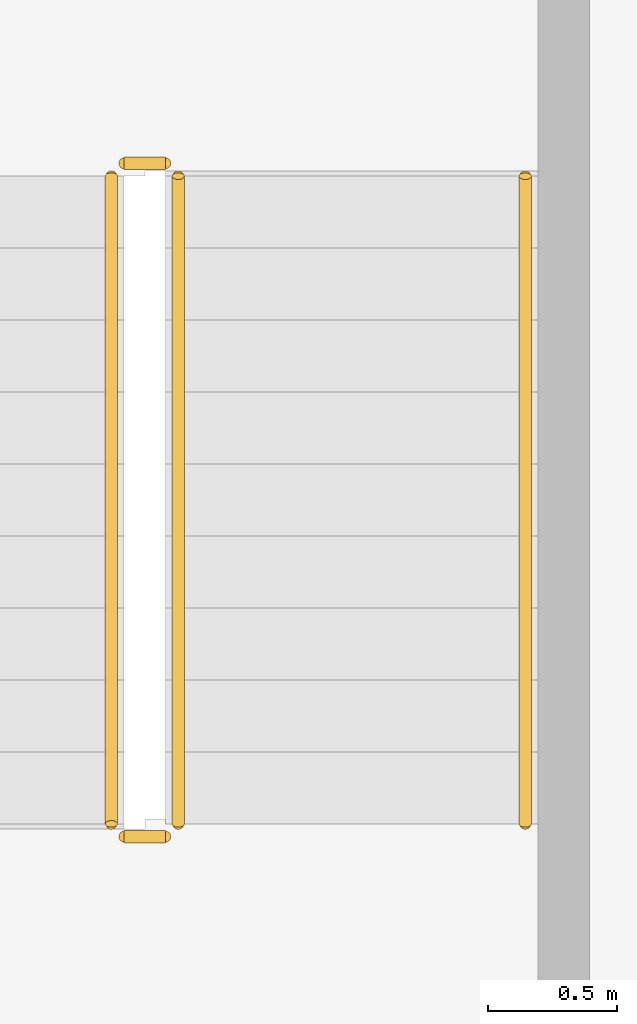
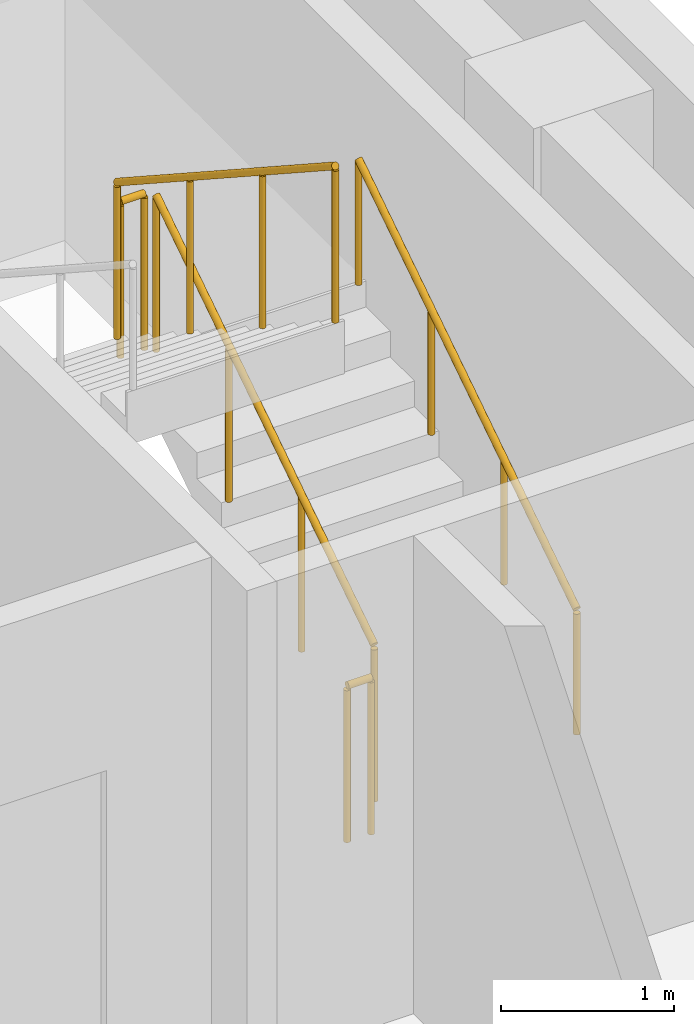
# One storey, part 13 of 14: 5 railings.
"""IFC4 building model written with IfcOpenShell, lengths in metres."""

from ifc_helpers import new_model, si_unit, direction, frame, origin, origin_2d, place, context, subcontext, project, spatial, circle, extrude, material, type_object, element, save


model = new_model("IFC4")

# Units and contexts
model_context = context("Model", 3, precision=1e-05, world=origin(), true_north=direction((0.0, 1.0)))
body_context = subcontext(model_context, "Body", "Model", "MODEL_VIEW")
ifc_project = project(units=[si_unit("LENGTHUNIT", "METRE"), si_unit("AREAUNIT", "SQUARE_METRE"), si_unit("VOLUMEUNIT", "CUBIC_METRE"), si_unit("PLANEANGLEUNIT", "RADIAN"), si_unit("MASSUNIT", "GRAM", prefix="KILO")], contexts=[model_context])

# Site, building, storey
site_placement = place(None, origin())
site = spatial("IfcSite", under=ifc_project, at=site_placement, CompositionType="ELEMENT")
building_placement = place(site_placement, origin())
building = spatial("IfcBuilding", under=site, at=building_placement, Name="Nuvemarco Arch Tower", CompositionType="ELEMENT")
storey_placement = place(building_placement, frame((0.0, 0.0, 268.89990234375)))
storey = spatial("IfcBuildingStorey", under=building, at=storey_placement, Name="L71", CompositionType="ELEMENT", Elevation=268.89990234375)

# Railings
ifc_material_1 = material(Name="Brushed stainless steel handrail", Category="steel")
railing_type_1 = type_object("IfcRailingType", Name="RL-HANDRAIL-900", PredefinedType="HANDRAIL", material=ifc_material_1)
railing_1_placement = place(storey_placement, frame((16.550048828125, 2.64990234375, 0.1826171875)))
element("IfcRailing", 1, at=railing_1_placement, inside=storey, type_object=railing_type_1, Name="L71 ST-2 stair handrail 1", PredefinedType="HANDRAIL", context=body_context, shape_type="SweptSolid", body=[
    extrude(circle(Radius=0.02392578125, at=origin_2d()), frame((0.0, 0.0, 0.8759765625), z_axis=(0.0, 0.837749427056, 0.546054848405), x_axis=(-1.0, 0.0, 0.0)), (0.0, 0.0, 1.0), 3.008056640625),
    extrude(circle(Radius=0.02099609375, at=origin_2d()), origin(), (0.0, 0.0, 1.0), 0.851806640625),
    extrude(circle(Radius=0.02099609375, at=origin_2d()), frame((0.0, 0.840087890625, 0.547607421875)), (0.0, 0.0, 1.0), 0.851806640625),
    extrude(circle(Radius=0.02099609375, at=origin_2d()), frame((0.0, 1.679931640625, 1.094970703125)), (0.0, 0.0, 1.0), 0.851806640625),
    extrude(circle(Radius=0.02099609375, at=origin_2d()), frame((0.0, 2.52001953125, 1.642578125)), (0.0, 0.0, 1.0), 0.851806640625),
])
ifc_material_2 = material(Name="Painted balustrade steel S355", Category="steel")
railing_type_2 = type_object("IfcRailingType", Name="RL-STAIR-GUARD", PredefinedType="GUARDRAIL", material=ifc_material_2)
railing_2_placement = place(storey_placement, frame((15.199951171875, 2.64990234375, 0.1826171875)))
element("IfcRailing", 2, at=railing_2_placement, inside=storey, type_object=railing_type_2, Name="L71 ST-2 stair guard 1", PredefinedType="GUARDRAIL", context=body_context, shape_type="SweptSolid", body=[
    extrude(circle(Radius=0.02392578125, at=origin_2d()), frame((0.0, 0.0, 1.09619140625), z_axis=(0.0, 0.837749427056, 0.546054848405), x_axis=(-1.0, 0.0, 0.0)), (0.0, 0.0, 1.0), 3.008056640625),
    extrude(circle(Radius=0.02099609375, at=origin_2d()), origin(), (0.0, 0.0, 1.0), 1.072021484375),
    extrude(circle(Radius=0.02099609375, at=origin_2d()), frame((0.0, 0.840087890625, 0.547607421875)), (0.0, 0.0, 1.0), 1.072021484375),
    extrude(circle(Radius=0.02099609375, at=origin_2d()), frame((0.0, 1.679931640625, 1.094970703125)), (0.0, 0.0, 1.0), 1.072021484375),
    extrude(circle(Radius=0.02099609375, at=origin_2d()), frame((0.0, 2.52001953125, 1.642578125)), (0.0, 0.0, 1.0), 1.072021484375),
])
railing_3_placement = place(storey_placement, frame((15.14990234375, 5.219970703125, 1.8251953125)))
element("IfcRailing", 3, at=railing_3_placement, inside=storey, type_object=railing_type_2, Name="L71 ST-2 stair guard 2", PredefinedType="GUARDRAIL", context=body_context, shape_type="SweptSolid", body=[
    extrude(circle(Radius=0.02392578125, at=origin_2d()), frame((0.0, 0.0, 1.09619140625), z_axis=(-1.0, 0.0, 0.0), x_axis=(0.0, -1.0, 0.0)), (0.0, 0.0, 1.0), 0.159912109375),
    extrude(circle(Radius=0.02099609375, at=origin_2d()), origin(), (0.0, 0.0, 1.0), 1.072021484375),
    extrude(circle(Radius=0.02099609375, at=origin_2d()), frame((-0.159912109375, 0.0, 0.0)), (0.0, 0.0, 1.0), 1.072021484375),
])
railing_4_placement = place(storey_placement, frame((14.93994140625, 5.169921875, 2.007568359375)))
element("IfcRailing", 4, at=railing_4_placement, inside=storey, type_object=railing_type_2, Name="L71 ST-2 stair guard 3", PredefinedType="GUARDRAIL", context=body_context, shape_type="SweptSolid", body=[
    extrude(circle(Radius=0.02392578125, at=origin_2d()), frame((0.0, 0.0, 1.09619140625), z_axis=(0.0, -0.837749427056, 0.546054848405), x_axis=(1.0, 0.0, 0.0)), (0.0, 0.0, 1.0), 3.008056640625),
    extrude(circle(Radius=0.02099609375, at=origin_2d()), origin(), (0.0, 0.0, 1.0), 1.072021484375),
    extrude(circle(Radius=0.02099609375, at=origin_2d()), frame((0.0, -0.840087890625, 0.547607421875)), (0.0, 0.0, 1.0), 1.072021484375),
    extrude(circle(Radius=0.02099609375, at=origin_2d()), frame((0.0, -1.679931640625, 1.094970703125)), (0.0, 0.0, 1.0), 1.072021484375),
    extrude(circle(Radius=0.02099609375, at=origin_2d()), frame((0.0, -2.52001953125, 1.642578125)), (0.0, 0.0, 1.0), 1.072021484375),
])
railing_5_placement = place(storey_placement, frame((15.14990234375, 2.60009765625, 0.0)))
element("IfcRailing", 5, at=railing_5_placement, inside=storey, type_object=railing_type_2, Name="L71 ST-2 stair guard 4", PredefinedType="GUARDRAIL", context=body_context, shape_type="SweptSolid", body=[
    extrude(circle(Radius=0.02392578125, at=origin_2d()), frame((0.0, 0.0, 1.09619140625), z_axis=(-1.0, 0.0, 0.0), x_axis=(0.0, -1.0, 0.0)), (0.0, 0.0, 1.0), 0.159912109375),
    extrude(circle(Radius=0.02099609375, at=origin_2d()), origin(), (0.0, 0.0, 1.0), 1.072021484375),
    extrude(circle(Radius=0.02099609375, at=origin_2d()), frame((-0.159912109375, 0.0, 0.0)), (0.0, 0.0, 1.0), 1.072021484375),
])

save(model, "model.ifc")
